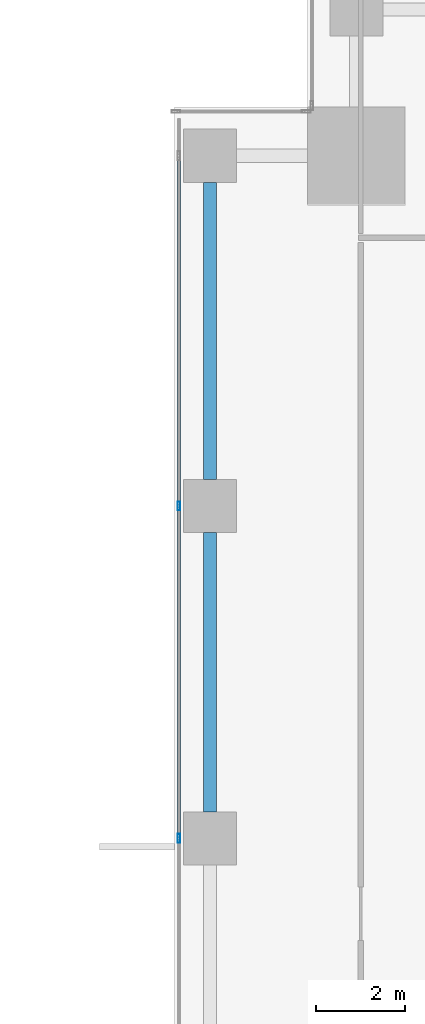
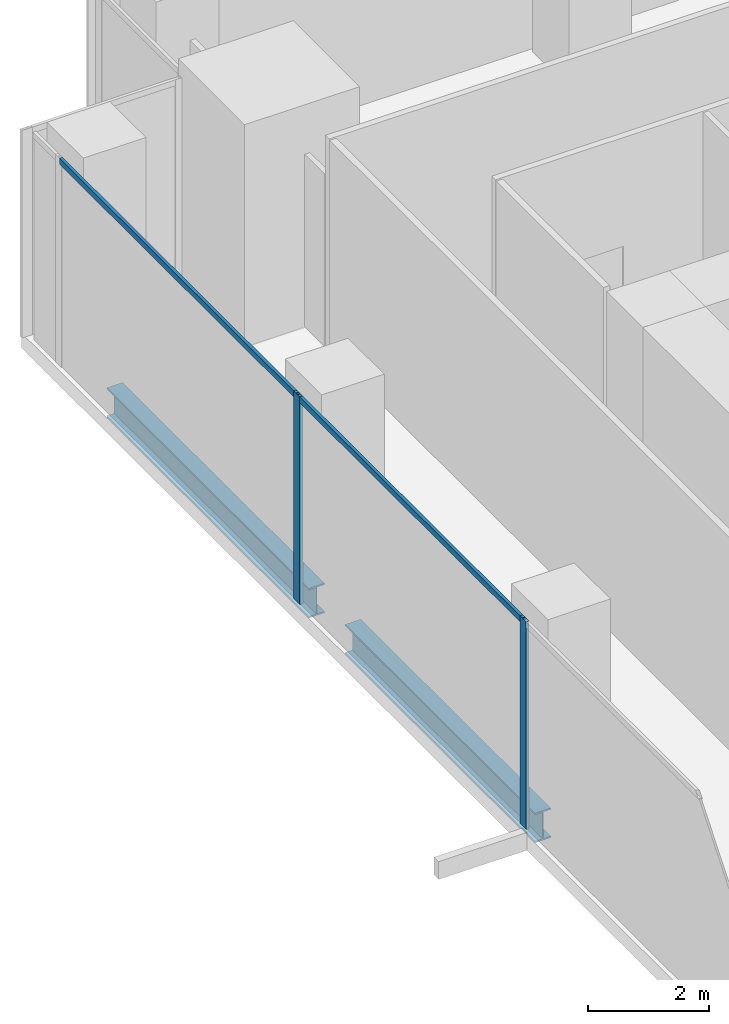
# One storey, part 12 of 33: 4 members, 2 beams, 1 element without a shape of its own.
"""IFC4 building model written with IfcOpenShell, lengths in metres."""

from ifc_helpers import new_model, si_unit, direction, frame, origin, origin_2d, place, context, subcontext, project, spatial, hollow_rectangle, i_section, extrude, source, transform, mapped, material, material_profile, profile_set, type_object, element, aggregate, save


model = new_model("IFC4")

# Units and contexts
model_context = context("Model", 3, precision=1e-05, world=origin(), true_north=direction((0.0, 1.0)))
body_context = subcontext(model_context, "Body", "Model", "MODEL_VIEW")
ifc_project = project(units=[si_unit("LENGTHUNIT", "METRE"), si_unit("AREAUNIT", "SQUARE_METRE"), si_unit("VOLUMEUNIT", "CUBIC_METRE"), si_unit("PLANEANGLEUNIT", "RADIAN"), si_unit("MASSUNIT", "GRAM", prefix="KILO")], contexts=[model_context])

# Site, building, storey
site_placement = place(None, origin())
site = spatial("IfcSite", under=ifc_project, at=site_placement, CompositionType="ELEMENT")
building_placement = place(site_placement, origin())
building = spatial("IfcBuilding", under=site, at=building_placement, Name="Khomas Fold Tower", CompositionType="ELEMENT")
storey_placement = place(building_placement, frame((0.0, 0.0, 91.5)))
storey = spatial("IfcBuildingStorey", under=building, at=storey_placement, Name="L19", CompositionType="ELEMENT", Elevation=91.5)

# Beams
ifc_material_1 = material(Name="Steel S355", Category="steel")
ifc_material_profile_1 = material_profile(ifc_material_1, i_section(OverallWidth=0.300048828125, OverallDepth=0.60009765625, WebThickness=0.015380859375, FlangeThickness=0.030029296875, at=origin_2d()), Name="HE 600 B")
ifc_profile_set_1 = profile_set([ifc_material_profile_1], Name="Steel S355")
beam_type = type_object("IfcBeamType", Name="HE 600 B spandrel SB1", PredefinedType="SPANDREL", material=ifc_profile_set_1)
shared_shape_1 = source(origin(), body_context, "Body", "SweptSolid", [
    extrude(i_section(OverallWidth=0.300048828125, OverallDepth=0.60009765625, WebThickness=0.015380859375, FlangeThickness=0.030029296875, at=origin_2d()), origin(), (0.0, 0.0, 1.0), 6.699951171875),
])
beam_1_placement = place(storey_placement, frame((0.800048828125, 42.60009765625, -0.60009765625), z_axis=(0.0, 1.0, 0.0), x_axis=(-1.0, 0.0, 0.0)))
element("IfcBeam", 1, at=beam_1_placement, inside=storey, type_object=beam_type, Name="SB1", PredefinedType="SPANDREL", context=body_context, shape_type="MappedRepresentation", body=[
    mapped(shared_shape_1, transform((0.0, 0.0, 0.0))),
])
shared_shape_2 = source(origin(), body_context, "Body", "SweptSolid", [
    extrude(i_section(OverallWidth=0.300048828125, OverallDepth=0.60009765625, WebThickness=0.015380859375, FlangeThickness=0.030029296875, at=origin_2d()), origin(), (0.0, 0.0, 1.0), 6.2998046875),
])
beam_2_placement = place(storey_placement, frame((0.800048828125, 35.10009765625, -0.60009765625), z_axis=(0.0, 1.0, 0.0), x_axis=(-1.0, 0.0, 0.0)))
element("IfcBeam", 2, at=beam_2_placement, inside=storey, type_object=beam_type, Name="SB1", PredefinedType="SPANDREL", context=body_context, shape_type="MappedRepresentation", body=[
    mapped(shared_shape_2, transform((0.0, 0.0, 0.0))),
])

# Curtain wall, members
ifc_material_2 = material(Name="Aluminium framed double glazing", Category="aluminium")
curtain_wall_type = type_object("IfcCurtainWallType", Name="SK-Unitised clear-glass wall, growing floors CW1", PredefinedType="NOTDEFINED", material=ifc_material_2)
curtain_wall_placement = place(storey_placement, origin())
curtain_wall = element("IfcCurtainWall", 3, at=curtain_wall_placement, inside=storey, type_object=curtain_wall_type, Name="CW1 run L19 09-0", PredefinedType="NOTDEFINED")
ifc_material_3 = material(Name="Aluminium", Category="aluminium")
ifc_material_profile_2 = material_profile(ifc_material_3, hollow_rectangle(XDim=0.06005859375, YDim=0.1201171875, WallThickness=0.00390625, at=origin_2d()), Name="SK-Unitised clear-glass wall, growing floors transom CW1-T")
ifc_profile_set_2 = profile_set([ifc_material_profile_2], Name="Aluminium")
member_type_1 = type_object("IfcMemberType", Name="SK-Unitised clear-glass wall, growing floors transom CW1-T", PredefinedType="USERDEFINED", material=ifc_profile_set_2)
shared_shape_3 = source(origin(), body_context, "Body", "SweptSolid", [
    extrude(hollow_rectangle(XDim=0.06005859375, YDim=0.1201171875, WallThickness=0.00390625, at=origin_2d()), origin(), (0.0, 0.0, 1.0), 7.840087890625),
])
member_1_placement = place(storey_placement, frame((0.10009765625, 49.8701171875, 4.139892578125), z_axis=(0.0, -1.0, 0.0), x_axis=(1.0, 0.0, 0.0)))
member_1 = element("IfcMember", 4, at=member_1_placement, type_object=member_type_1, Name="CW1 transom 2", ObjectType="TRANSOM", PredefinedType="USERDEFINED", context=body_context, shape_type="MappedRepresentation", body=[
    mapped(shared_shape_3, transform((0.0, 0.0, 0.0))),
])
shared_shape_4 = source(origin(), body_context, "Body", "SweptSolid", [
    extrude(hollow_rectangle(XDim=0.06005859375, YDim=0.1201171875, WallThickness=0.00390625, at=origin_2d()), origin(), (0.0, 0.0, 1.0), 7.43994140625),
])
member_2_placement = place(storey_placement, frame((0.10009765625, 41.969970703125, 4.139892578125), z_axis=(0.0, -1.0, 0.0), x_axis=(1.0, 0.0, 0.0)))
member_2 = element("IfcMember", 5, at=member_2_placement, type_object=member_type_1, Name="CW1 transom 3", ObjectType="TRANSOM", PredefinedType="USERDEFINED", context=body_context, shape_type="MappedRepresentation", body=[
    mapped(shared_shape_4, transform((0.0, 0.0, 0.0))),
])
ifc_material_4 = material(Name="Aluminium", Category="aluminium")
ifc_material_profile_3 = material_profile(ifc_material_4, hollow_rectangle(XDim=0.06005859375, YDim=0.199951171875, WallThickness=0.00390625, at=origin_2d()), Name="SK-Unitised clear-glass wall, growing floors mullion CW1-M")
ifc_profile_set_3 = profile_set([ifc_material_profile_3], Name="Aluminium")
member_type_2 = type_object("IfcMemberType", Name="SK-Unitised clear-glass wall, growing floors mullion CW1-M", PredefinedType="MULLION", material=ifc_profile_set_3)
shared_shape_5 = source(origin(), body_context, "Body", "SweptSolid", [
    extrude(hollow_rectangle(XDim=0.06005859375, YDim=0.199951171875, WallThickness=0.00390625, at=origin_2d()), origin(), (0.0, 0.0, 1.0), 4.199951171875),
])
member_3_placement = place(storey_placement, frame((0.10009765625, 42.0, 0.0), z_axis=(0.0, 0.0, 1.0), x_axis=(1.0, 0.0, 0.0)))
member_3 = element("IfcMember", 6, at=member_3_placement, type_object=member_type_2, Name="CW1 mullion 3", PredefinedType="MULLION", context=body_context, shape_type="MappedRepresentation", body=[
    mapped(shared_shape_5, transform((0.0, 0.0, 0.0))),
])
member_4_placement = place(storey_placement, frame((0.10009765625, 34.5, 0.0), z_axis=(0.0, 0.0, 1.0), x_axis=(1.0, 0.0, 0.0)))
member_4 = element("IfcMember", 7, at=member_4_placement, type_object=member_type_2, Name="CW1 mullion 4", PredefinedType="MULLION", context=body_context, shape_type="MappedRepresentation", body=[
    mapped(shared_shape_5, transform((0.0, 0.0, 0.0))),
])
aggregate(curtain_wall, [member_3, member_4, member_1, member_2])

save(model, "model.ifc")
